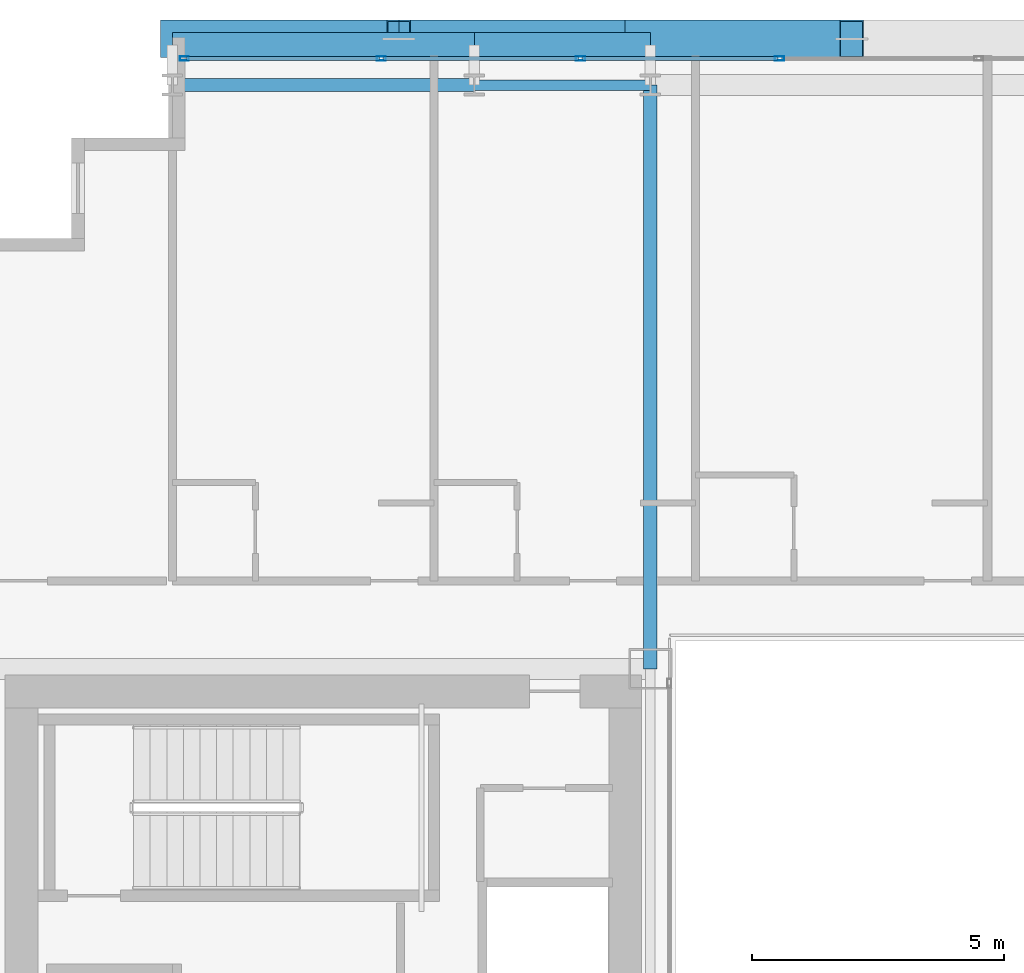
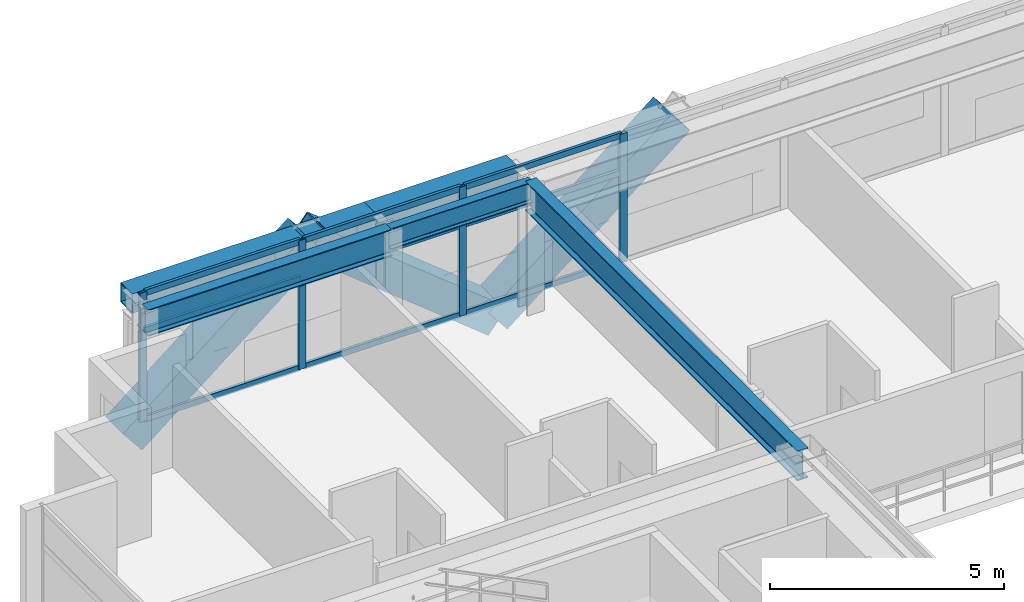
# One storey, part 21 of 39: 16 members, 5 beams, 1 element without a shape of its own.
"""IFC4 building model written with IfcOpenShell, lengths in metres."""

import ifcopenshell
import ifcopenshell.guid

model = None  # the IFC model being written
_history = None  # IfcOwnerHistory: only IFC2X3 demands one
_inside = {}  # id of a spatial element -> (the spatial element, [elements in it])
_under = {}  # id of a project, library or spatial element -> (it, [spatial elements below it])
_declared = {}  # id of a project -> (the project, [libraries it declares])
_typed = {}  # id of a type object -> (the type object, [elements of that type])
_made_of = {}  # id of a material, layer set ... -> (it, [elements and type objects made of it])


def new_model(schema):
    """Start an empty IFC model of exactly this schema.

    Asked for "IFC4X3", IfcOpenShell would pick the latest addendum, in which some entities
    have other attributes; the version numbers below select the first issue.
    IFC2X3 requires an IfcOwnerHistory on every rooted entity: one is made here for all.
    """
    global model, _history
    if schema == "IFC4X3":
        model = ifcopenshell.file(schema_version=(4, 3, 0, 0))
    else:
        model = ifcopenshell.file(schema=schema)
    _inside.clear()
    _under.clear()
    _declared.clear()
    _typed.clear()
    _made_of.clear()
    _history = None
    if model.schema == "IFC2X3":
        org = make("IfcOrganization", Name="unknown")
        user = make(
            "IfcPersonAndOrganization",
            ThePerson=make("IfcPerson", FamilyName="unknown"),
            TheOrganization=org,
        )
        app = make(
            "IfcApplication",
            ApplicationDeveloper=org,
            Version="unknown",
            ApplicationFullName="unknown",
            ApplicationIdentifier="unknown",
        )
        _history = make(
            "IfcOwnerHistory",
            OwningUser=user,
            OwningApplication=app,
            ChangeAction="ADDED",
            CreationDate=0,
        )
    return model


def make(cls, **values):
    """One entity of the class cls with the attributes given. An attribute that is None is left unset."""
    return model.create_entity(
        cls, **{name: value for name, value in values.items() if value is not None}
    )


def rooted(cls, **values):
    """An entity with a GlobalId (a new one), such as an element, a storey or a relation."""
    return make(cls, GlobalId=ifcopenshell.guid.new(), OwnerHistory=_history, **values)


def si_unit(unit_type, name, prefix=None):
    """IfcSIUnit, for example si_unit("LENGTHUNIT", "METRE", prefix="MILLI")."""
    return make("IfcSIUnit", UnitType=unit_type, Prefix=prefix, Name=name)


def assignment(units):
    """IfcUnitAssignment: the units of a project."""
    return None if units is None else make("IfcUnitAssignment", Units=units)


def point(xyz):
    """IfcCartesianPoint."""
    return None if xyz is None else make("IfcCartesianPoint", Coordinates=xyz)


def direction(xyz):
    """IfcDirection."""
    return None if xyz is None else make("IfcDirection", DirectionRatios=xyz)


def frame(location, z_axis=None, x_axis=None):
    """IfcAxis2Placement3D, a coordinate frame: its origin and axes. An axis left out is left unset."""
    return make(
        "IfcAxis2Placement3D",
        Location=point(location),
        Axis=direction(z_axis),
        RefDirection=direction(x_axis),
    )


def frame_2d(location, x_axis=None):
    """IfcAxis2Placement2D, a coordinate frame in the plane: its origin and x axis."""
    return make(
        "IfcAxis2Placement2D", Location=point(location), RefDirection=direction(x_axis)
    )


def origin():
    """The frame at (0, 0, 0) with its axes left unset."""
    return frame((0.0, 0.0, 0.0))


def origin_2d():
    """The frame at (0, 0) in the plane with its x axis left unset."""
    return frame_2d((0.0, 0.0))


def place(relative_to, where):
    """IfcLocalPlacement: puts the frame where relative to a parent placement (None: the world)."""
    return make(
        "IfcLocalPlacement", PlacementRelTo=relative_to, RelativePlacement=where
    )


def context(
    kind, dimensions, precision=None, world=None, true_north=None, identifier=None
):
    """IfcGeometricRepresentationContext, for example the 3D "Model" context."""
    return make(
        "IfcGeometricRepresentationContext",
        ContextIdentifier=identifier,
        ContextType=kind,
        CoordinateSpaceDimension=dimensions,
        Precision=precision,
        WorldCoordinateSystem=world,
        TrueNorth=true_north,
    )


def subcontext(parent, identifier, kind, view, scale=None):
    """IfcGeometricRepresentationSubContext, for example "Body" below "Model"."""
    return make(
        "IfcGeometricRepresentationSubContext",
        ContextIdentifier=identifier,
        ContextType=kind,
        ParentContext=parent,
        TargetScale=scale,
        TargetView=view,
    )


def project(units=None, contexts=None):
    """IfcProject with its units and contexts."""
    return rooted(
        "IfcProject",
        Name="project",
        RepresentationContexts=contexts,
        UnitsInContext=assignment(units),
    )


def spatial(cls, under=None, at=None, **own):
    """A site, building, storey or space (cls), placed at a placement, below another one or the project."""
    s = rooted(cls, ObjectPlacement=at, **own)
    if under is not None:
        _under.setdefault(under.id(), (under, []))[1].append(s)
    return s


def profile(cls, at=None, kind="AREA", **sizes):
    """A parametric profile (cls). Its sizes go by their IFC names, for example OverallWidth=200.0."""
    return make(cls, ProfileType=kind, Position=at, **sizes)


def hollow_rectangle(**sizes):
    """IfcRectangleHollowProfileDef."""
    return profile("IfcRectangleHollowProfileDef", **sizes)


def i_section(**sizes):
    """IfcIShapeProfileDef."""
    return profile("IfcIShapeProfileDef", **sizes)


def extrude(swept, where, along, depth):
    """IfcExtrudedAreaSolid: the profile swept, set in the frame where, extruded along a direction by depth."""
    return make(
        "IfcExtrudedAreaSolid",
        SweptArea=swept,
        Position=where,
        ExtrudedDirection=direction(along),
        Depth=depth,
    )


def shape(context_of_items, identifier, shape_type, items):
    """IfcShapeRepresentation: the items that make up one representation, for example the "Body"."""
    return make(
        "IfcShapeRepresentation",
        ContextOfItems=context_of_items,
        RepresentationIdentifier=identifier,
        RepresentationType=shape_type,
        Items=items,
    )


def source(mapping_origin, context_of_items, identifier, shape_type, items):
    """IfcRepresentationMap: a shape defined once, which mapped items show again and again."""
    return make(
        "IfcRepresentationMap",
        MappingOrigin=mapping_origin,
        MappedRepresentation=shape(context_of_items, identifier, shape_type, items),
    )


def transform(
    local_origin,
    x_axis=None,
    y_axis=None,
    z_axis=None,
    scale=None,
    scale2=None,
    scale3=None,
    uniform=True,
):
    """IfcCartesianTransformationOperator3D, or its non-uniform kind. x_axis, y_axis, z_axis: its Axis1, 2, 3."""
    if uniform:
        return make(
            "IfcCartesianTransformationOperator3D",
            Axis1=direction(x_axis),
            Axis2=direction(y_axis),
            LocalOrigin=point(local_origin),
            Scale=scale,
            Axis3=direction(z_axis),
        )
    return make(
        "IfcCartesianTransformationOperator3DnonUniform",
        Axis1=direction(x_axis),
        Axis2=direction(y_axis),
        LocalOrigin=point(local_origin),
        Scale=scale,
        Axis3=direction(z_axis),
        Scale2=scale2,
        Scale3=scale3,
    )


def mapped(mapping_source, mapping_target):
    """IfcMappedItem: shows the shape of a source again, moved by a transform."""
    return make(
        "IfcMappedItem", MappingSource=mapping_source, MappingTarget=mapping_target
    )


def material(Name=None, Category=None):
    """IfcMaterial."""
    return make("IfcMaterial", Name=Name, Category=Category)


def layer(
    of_material, thickness, ventilated=None, Name=None, Category=None, Priority=None
):
    """IfcMaterialLayer: one layer of a wall or slab, of a material (None: an air gap)."""
    return make(
        "IfcMaterialLayer",
        Material=of_material,
        LayerThickness=thickness,
        IsVentilated=ventilated,
        Name=Name,
        Category=Category,
        Priority=Priority,
    )


def layer_set(layers, Name=None):
    """IfcMaterialLayerSet."""
    return make("IfcMaterialLayerSet", MaterialLayers=layers, LayerSetName=Name)


def material_profile(
    of_material, cross_section, Name=None, Category=None, Priority=None
):
    """IfcMaterialProfile: a cross section and its material."""
    return make(
        "IfcMaterialProfile",
        Name=Name,
        Material=of_material,
        Profile=cross_section,
        Priority=Priority,
        Category=Category,
    )


def profile_set(profiles, Name=None, composite=None):
    """IfcMaterialProfileSet."""
    return make(
        "IfcMaterialProfileSet",
        Name=Name,
        MaterialProfiles=profiles,
        CompositeProfile=composite,
    )


def made_of(thing, what):
    """Note that an element or type object is made of a material, layer set ...; save() writes the relation."""
    if what is not None:
        _made_of.setdefault(what.id(), (what, []))[1].append(thing)
    return thing


def type_object(cls, material=None, **own):
    """A type object (cls), such as IfcWallType, which elements share."""
    return made_of(rooted(cls, **own), material)


def element(
    cls,
    number,
    at=None,
    inside=None,
    cuts=None,
    type_object=None,
    material=None,
    context=None,
    identifier="Body",
    shape_type=None,
    held_by="IfcProductDefinitionShape",
    body=None,
    shapes=None,
    **own,
):
    """One element of the class cls, such as IfcWall. Its Tag is "e" and its number.

    at: its placement. inside: the storey or other place that contains it. cuts: it is an
    opening in that element (IfcRelVoidsElement). A single representation is given by context,
    identifier, shape_type and body (its items); several are given by shapes. held_by: the class
    of the entity that holds the representations. save() writes the other relations.
    """
    e = rooted(cls, Tag="e%d" % number, ObjectPlacement=at, **own)
    if body is not None:
        shapes = [shape(context, identifier, shape_type, body)]
    if shapes is not None:
        e.Representation = make(held_by, Representations=shapes)
    if inside is not None:
        _inside.setdefault(inside.id(), (inside, []))[1].append(e)
    if cuts is not None:
        rooted(
            "IfcRelVoidsElement", RelatingBuildingElement=cuts, RelatedOpeningElement=e
        )
    if type_object is not None:
        _typed.setdefault(type_object.id(), (type_object, []))[1].append(e)
    return made_of(e, material)


def aggregate(whole, parts):
    """IfcRelAggregates: a whole, such as a stair, and the parts it consists of."""
    return rooted("IfcRelAggregates", RelatingObject=whole, RelatedObjects=parts)


def save(model, path):
    """Write the relations noted so far, then the file.

    IfcRelAggregates (storeys below a building ...), IfcRelContainedInSpatialStructure (elements
    in a storey), IfcRelDefinesByType, IfcRelAssociatesMaterial and IfcRelDeclares: one each for
    every whole, place, type object, material and project.
    """
    for whole, parts in _under.values():
        aggregate(whole, parts)
    for where, things in _inside.values():
        rooted(
            "IfcRelContainedInSpatialStructure",
            RelatedElements=things,
            RelatingStructure=where,
        )
    for kind, things in _typed.values():
        rooted("IfcRelDefinesByType", RelatedObjects=things, RelatingType=kind)
    for what, things in _made_of.values():
        rooted("IfcRelAssociatesMaterial", RelatedObjects=things, RelatingMaterial=what)
    for by, libraries in _declared.values():
        rooted("IfcRelDeclares", RelatingContext=by, RelatedDefinitions=libraries)
    model.write(path)


model = new_model("IFC4")

# Units and contexts
model_context = context("Model", 3, precision=1e-05, world=origin(), true_north=direction((0.0, 1.0)))
body_context = subcontext(model_context, "Body", "Model", "MODEL_VIEW")
ifc_project = project(units=[si_unit("LENGTHUNIT", "METRE"), si_unit("AREAUNIT", "SQUARE_METRE"), si_unit("VOLUMEUNIT", "CUBIC_METRE"), si_unit("PLANEANGLEUNIT", "RADIAN"), si_unit("MASSUNIT", "GRAM", prefix="KILO")], contexts=[model_context])

# Site, building, storey
site_placement = place(None, origin())
site = spatial("IfcSite", under=ifc_project, at=site_placement, CompositionType="ELEMENT")
building_placement = place(site_placement, origin())
building = spatial("IfcBuilding", under=site, at=building_placement, Name="Ocotamira Hotel", CompositionType="ELEMENT")
storey_placement = place(building_placement, frame((0.0, 0.0, 104.39990234375)))
storey = spatial("IfcBuildingStorey", under=building, at=storey_placement, Name="L25", CompositionType="ELEMENT", Elevation=104.39990234375)

# Beams
ifc_material_1 = material(Name="Steel ASTM A992 Grade 50", Category="steel")
ifc_material_profile_1 = material_profile(ifc_material_1, i_section(OverallWidth=0.256103515625, OverallDepth=0.693115234375, WebThickness=0.014404296875, FlangeThickness=0.023681640625, FilletRadius=0.01611328125, at=origin_2d()), Name="W27X114")
ifc_profile_set_1 = profile_set([ifc_material_profile_1], Name="Steel ASTM A992 Grade 50")
beam_type_1 = type_object("IfcBeamType", Name="BM-PRIM-W27X114", PredefinedType="BEAM", material=ifc_profile_set_1)
shared_shape_1 = source(origin(), body_context, "Body", "SweptSolid", [
    extrude(i_section(OverallWidth=0.256103515625, OverallDepth=0.693115234375, WebThickness=0.014404296875, FlangeThickness=0.023681640625, FilletRadius=0.01611328125, at=origin_2d()), origin(), (0.0, 0.0, 1.0), 6.0),
])
beam_1_placement = place(storey_placement, frame((14.0, 49.050048828125, 3.013671875), z_axis=(1.0, 0.0, 0.0), x_axis=(0.0, 1.0, 0.0)))
element("IfcBeam", 1, at=beam_1_placement, inside=storey, type_object=beam_type_1, Name="L25 Girder Y49.05 X14-20", PredefinedType="BEAM", context=body_context, shape_type="MappedRepresentation", body=[
    mapped(shared_shape_1, transform((0.0, 0.0, 0.0), scale=1.0)),
])
ifc_material_profile_2 = material_profile(ifc_material_1, i_section(OverallWidth=0.2099609375, OverallDepth=0.537109375, WebThickness=0.010986328125, FlangeThickness=0.017333984375, FilletRadius=0.012939453125, at=origin_2d()), Name="W21X68")
ifc_profile_set_2 = profile_set([ifc_material_profile_2], Name="Steel ASTM A992 Grade 50")
beam_type_2 = type_object("IfcBeamType", Name="BM-SEC-W21X68", PredefinedType="JOIST", material=ifc_profile_set_2)
shared_shape_2 = source(origin(), body_context, "Body", "SweptSolid", [
    extrude(i_section(OverallWidth=0.2099609375, OverallDepth=0.537109375, WebThickness=0.010986328125, FlangeThickness=0.017333984375, FilletRadius=0.012939453125, at=origin_2d()), origin(), (0.0, 0.0, 1.0), 3.5),
])
beam_2_placement = place(storey_placement, frame((20.0, 49.050048828125, 3.091552734375), z_axis=(1.0, 0.0, 0.0), x_axis=(0.0, 1.0, 0.0)))
element("IfcBeam", 2, at=beam_2_placement, inside=storey, type_object=beam_type_2, Name="L25 Girder Y49.05 X20-23.5", PredefinedType="JOIST", context=body_context, shape_type="MappedRepresentation", body=[
    mapped(shared_shape_2, transform((0.0, 0.0, 0.0), scale=1.0)),
])
ifc_material_profile_3 = material_profile(ifc_material_1, i_section(OverallWidth=0.26611328125, OverallDepth=0.779052734375, WebThickness=0.0166015625, FlangeThickness=0.030029296875, FilletRadius=0.01806640625, at=origin_2d()), Name="W30X148")
ifc_profile_set_3 = profile_set([ifc_material_profile_3], Name="Steel ASTM A992 Grade 50")
beam_type_3 = type_object("IfcBeamType", Name="BM-GIRD-W30X148", PredefinedType="BEAM", material=ifc_profile_set_3)
shared_shape_3 = source(origin(), body_context, "Body", "SweptSolid", [
    extrude(i_section(OverallWidth=0.26611328125, OverallDepth=0.779052734375, WebThickness=0.0166015625, FlangeThickness=0.030029296875, FilletRadius=0.01806640625, at=origin_2d()), origin(), (0.0, 0.0, 1.0), 11.60009765625),
])
beam_3_placement = place(storey_placement, frame((23.5, 37.449951171875, 2.970703125), z_axis=(0.0, 1.0, 0.0), x_axis=(-1.0, 0.0, 0.0)))
element("IfcBeam", 3, at=beam_3_placement, inside=storey, type_object=beam_type_3, Name="L25 Beam X23.5 Y37.45-49.05", PredefinedType="BEAM", context=body_context, shape_type="MappedRepresentation", body=[
    mapped(shared_shape_3, transform((0.0, 0.0, 0.0), scale=1.0)),
])
ifc_material_2 = material(Name="Steel ASTM A500 Grade C", Category="steel")
ifc_material_profile_4 = material_profile(ifc_material_2, hollow_rectangle(XDim=0.5, YDim=0.5, WallThickness=0.02001953125, at=origin_2d()), Name="HSS500X500X20")
ifc_profile_set_4 = profile_set([ifc_material_profile_4], Name="Steel ASTM A500 Grade C")
beam_type_4 = type_object("IfcBeamType", Name="BM-SPAN-HSS500", PredefinedType="USERDEFINED", material=ifc_profile_set_4)
shared_shape_4 = source(origin(), body_context, "Body", "SweptSolid", [
    extrude(hollow_rectangle(XDim=0.5, YDim=0.5, WallThickness=0.02001953125, at=origin_2d()), origin(), (0.0, 0.0, 1.0), 6.0),
])
beam_4_placement = place(storey_placement, frame((14.0, 49.85009765625, 3.110107421875), z_axis=(1.0, 0.0, 0.0), x_axis=(0.0, 1.0, 0.0)))
element("IfcBeam", 4, at=beam_4_placement, inside=storey, type_object=beam_type_4, Name="L25 Edge Spandrel N X14-20", ObjectType="SPANDREL", PredefinedType="USERDEFINED", context=body_context, shape_type="MappedRepresentation", body=[
    mapped(shared_shape_4, transform((0.0, 0.0, 0.0), scale=1.0)),
])
shared_shape_5 = source(origin(), body_context, "Body", "SweptSolid", [
    extrude(hollow_rectangle(XDim=0.5, YDim=0.5, WallThickness=0.02001953125, at=origin_2d()), origin(), (0.0, 0.0, 1.0), 3.5),
])
beam_5_placement = place(storey_placement, frame((20.0, 49.85009765625, 3.110107421875), z_axis=(1.0, 0.0, 0.0), x_axis=(0.0, 1.0, 0.0)))
element("IfcBeam", 5, at=beam_5_placement, inside=storey, type_object=beam_type_4, Name="L25 Edge Spandrel N X20-23.5", ObjectType="SPANDREL", PredefinedType="USERDEFINED", context=body_context, shape_type="MappedRepresentation", body=[
    mapped(shared_shape_5, transform((0.0, 0.0, 0.0), scale=1.0)),
])

# Members
ifc_material_3 = material(Name="Pale-metal coated steel ASTM A913 Grade 65", Category="steel")
ifc_material_profile_5 = material_profile(ifc_material_3, hollow_rectangle(XDim=0.75, YDim=0.75, WallThickness=0.028076171875, at=origin_2d()), Name="BOX750X750X28")
ifc_profile_set_5 = profile_set([ifc_material_profile_5], Name="Pale-metal coated steel ASTM A913 Grade 65")
member_type_1 = type_object("IfcMemberType", Name="MEM-EXO-BOX750", PredefinedType="BRACE", material=ifc_profile_set_5)
shared_shape_6 = source(origin(), body_context, "Body", "SweptSolid", [
    extrude(hollow_rectangle(XDim=0.75, YDim=0.75, WallThickness=0.028076171875, at=origin_2d()), origin(), (0.0, 0.0, 1.0), 5.762939453125),
])
for number, where, z_axis, x_axis, name in (
    (6, (14.0, 49.969970703125, -0.489990234375), (0.780860543151, 0.0, 0.624705380279), (0.0, 1.0, 0.0), "L25 Exoskeleton Diagrid N0.1"),
    (7, (23.0, 49.969970703125, -0.489990234375), (-0.780860543151, 0.0, 0.624705380279), (0.0, -1.0, 0.0), "L25 Exoskeleton Diagrid N0.2"),
    (8, (23.0, 49.969970703125, -0.489990234375), (0.780860543151, 0.0, 0.624705380279), (0.0, 1.0, 0.0), "L25 Exoskeleton Diagrid N1.1"),
):
    element("IfcMember", number, at=place(storey_placement, frame(where, z_axis=z_axis, x_axis=x_axis)), inside=storey, type_object=member_type_1, Name=name, PredefinedType="BRACE", context=body_context, shape_type="MappedRepresentation", body=[
        mapped(shared_shape_6, transform((0.0, 0.0, 0.0), scale=1.0)),
    ])

# Curtain wall, members
ifc_material_4 = material(Name="Anodised pale-metal aluminium and solar glass", Category="aluminium")
ifc_layer = layer(ifc_material_4, 0.179931640625)
ifc_layer_set = layer_set([ifc_layer], Name="Anodised pale-metal aluminium and solar glass")
curtain_wall_type = type_object("IfcCurtainWallType", Name="CW-SYS3-Z2", PredefinedType="NOTDEFINED", material=ifc_layer_set)
curtain_wall_placement = place(storey_placement, origin())
curtain_wall = element("IfcCurtainWall", 9, at=curtain_wall_placement, inside=storey, type_object=curtain_wall_type, Name="L25 Curtain Wall CW-3 CW-L25-N", PredefinedType="NOTDEFINED")
ifc_material_5 = material(Name="Anodised pale-metal aluminium 6063-T6", Category="aluminium")
ifc_material_profile_6 = material_profile(ifc_material_5, hollow_rectangle(XDim=0.074951171875, YDim=0.14990234375, WallThickness=0.006103515625, at=origin_2d()), Name="HSS150X75X6")
ifc_profile_set_6 = profile_set([ifc_material_profile_6], Name="Anodised pale-metal aluminium 6063-T6")
member_type_2 = type_object("IfcMemberType", Name="CWT-150X75", PredefinedType="USERDEFINED", material=ifc_profile_set_6)
shared_shape_7 = source(origin(), body_context, "Body", "SweptSolid", [
    extrude(hollow_rectangle(XDim=0.074951171875, YDim=0.14990234375, WallThickness=0.006103515625, at=origin_2d()), origin(), (0.0, 0.0, 1.0), 3.83544921875),
])
member_1_placement = place(storey_placement, frame((14.280029296875, 49.580078125, 0.03759765625), z_axis=(1.0, 0.0, 0.0), x_axis=(0.0, 1.0, 0.0)))
member_1 = element("IfcMember", 10, at=member_1_placement, type_object=member_type_2, Name="CW-3 transom 1.1", ObjectType="TRANSOM", PredefinedType="USERDEFINED", context=body_context, shape_type="MappedRepresentation", body=[
    mapped(shared_shape_7, transform((0.0, 0.0, 0.0), scale=1.0)),
])
member_2_placement = place(storey_placement, frame((14.280029296875, 49.580078125, 2.35009765625), z_axis=(1.0, 0.0, 0.0), x_axis=(0.0, 1.0, 0.0)))
member_2 = element("IfcMember", 11, at=member_2_placement, type_object=member_type_2, Name="CW-3 transom 1.2", ObjectType="TRANSOM", PredefinedType="USERDEFINED", context=body_context, shape_type="MappedRepresentation", body=[
    mapped(shared_shape_7, transform((0.0, 0.0, 0.0), scale=1.0)),
])
member_3_placement = place(storey_placement, frame((14.280029296875, 49.580078125, 3.322509765625), z_axis=(1.0, 0.0, 0.0), x_axis=(0.0, 1.0, 0.0)))
member_3 = element("IfcMember", 12, at=member_3_placement, type_object=member_type_2, Name="CW-3 transom 1.3", ObjectType="TRANSOM", PredefinedType="USERDEFINED", context=body_context, shape_type="MappedRepresentation", body=[
    mapped(shared_shape_7, transform((0.0, 0.0, 0.0), scale=1.0)),
])
shared_shape_8 = source(origin(), body_context, "Body", "SweptSolid", [
    extrude(hollow_rectangle(XDim=0.074951171875, YDim=0.14990234375, WallThickness=0.006103515625, at=origin_2d()), origin(), (0.0, 0.0, 1.0), 3.87548828125),
])
member_4_placement = place(storey_placement, frame((18.195556640625, 49.580078125, 0.03759765625), z_axis=(1.0, 0.0, 0.0), x_axis=(0.0, 1.0, 0.0)))
member_4 = element("IfcMember", 13, at=member_4_placement, type_object=member_type_2, Name="CW-3 transom 2.1", ObjectType="TRANSOM", PredefinedType="USERDEFINED", context=body_context, shape_type="MappedRepresentation", body=[
    mapped(shared_shape_8, transform((0.0, 0.0, 0.0), scale=1.0)),
])
member_5_placement = place(storey_placement, frame((18.195556640625, 49.580078125, 2.35009765625), z_axis=(1.0, 0.0, 0.0), x_axis=(0.0, 1.0, 0.0)))
member_5 = element("IfcMember", 14, at=member_5_placement, type_object=member_type_2, Name="CW-3 transom 2.2", ObjectType="TRANSOM", PredefinedType="USERDEFINED", context=body_context, shape_type="MappedRepresentation", body=[
    mapped(shared_shape_8, transform((0.0, 0.0, 0.0), scale=1.0)),
])
member_6_placement = place(storey_placement, frame((18.195556640625, 49.580078125, 3.322509765625), z_axis=(1.0, 0.0, 0.0), x_axis=(0.0, 1.0, 0.0)))
member_6 = element("IfcMember", 15, at=member_6_placement, type_object=member_type_2, Name="CW-3 transom 2.3", ObjectType="TRANSOM", PredefinedType="USERDEFINED", context=body_context, shape_type="MappedRepresentation", body=[
    mapped(shared_shape_8, transform((0.0, 0.0, 0.0), scale=1.0)),
])
member_7_placement = place(storey_placement, frame((22.151123046875, 49.580078125, 0.03759765625), z_axis=(1.0, 0.0, 0.0), x_axis=(0.0, 1.0, 0.0)))
member_7 = element("IfcMember", 16, at=member_7_placement, type_object=member_type_2, Name="CW-3 transom 3.1", ObjectType="TRANSOM", PredefinedType="USERDEFINED", context=body_context, shape_type="MappedRepresentation", body=[
    mapped(shared_shape_8, transform((0.0, 0.0, 0.0), scale=1.0)),
])
member_8_placement = place(storey_placement, frame((22.151123046875, 49.580078125, 2.35009765625), z_axis=(1.0, 0.0, 0.0), x_axis=(0.0, 1.0, 0.0)))
member_8 = element("IfcMember", 17, at=member_8_placement, type_object=member_type_2, Name="CW-3 transom 3.2", ObjectType="TRANSOM", PredefinedType="USERDEFINED", context=body_context, shape_type="MappedRepresentation", body=[
    mapped(shared_shape_8, transform((0.0, 0.0, 0.0), scale=1.0)),
])
member_9_placement = place(storey_placement, frame((22.151123046875, 49.580078125, 3.322509765625), z_axis=(1.0, 0.0, 0.0), x_axis=(0.0, 1.0, 0.0)))
member_9 = element("IfcMember", 18, at=member_9_placement, type_object=member_type_2, Name="CW-3 transom 3.3", ObjectType="TRANSOM", PredefinedType="USERDEFINED", context=body_context, shape_type="MappedRepresentation", body=[
    mapped(shared_shape_8, transform((0.0, 0.0, 0.0), scale=1.0)),
])
ifc_material_profile_7 = material_profile(ifc_material_5, hollow_rectangle(XDim=0.080078125, YDim=0.179931640625, WallThickness=0.006103515625, at=origin_2d()), Name="HSS180X80X6")
ifc_profile_set_7 = profile_set([ifc_material_profile_7], Name="Anodised pale-metal aluminium 6063-T6")
member_type_3 = type_object("IfcMemberType", Name="CWM-180X75", PredefinedType="MULLION", material=ifc_profile_set_7)
shared_shape_9 = source(origin(), body_context, "Body", "SweptSolid", [
    extrude(hollow_rectangle(XDim=0.080078125, YDim=0.179931640625, WallThickness=0.006103515625, at=origin_2d()), origin(), (0.0, 0.0, 1.0), 3.360107421875),
])
member_10_placement = place(storey_placement, frame((14.239990234375, 49.580078125, 0.0), z_axis=(0.0, 0.0, 1.0), x_axis=(0.0, 1.0, 0.0)))
member_10 = element("IfcMember", 19, at=member_10_placement, type_object=member_type_3, Name="CW-3 mullion 1", PredefinedType="MULLION", context=body_context, shape_type="MappedRepresentation", body=[
    mapped(shared_shape_9, transform((0.0, 0.0, 0.0), scale=1.0)),
])
member_11_placement = place(storey_placement, frame((18.155517578125, 49.580078125, 0.0), z_axis=(0.0, 0.0, 1.0), x_axis=(0.0, 1.0, 0.0)))
member_11 = element("IfcMember", 20, at=member_11_placement, type_object=member_type_3, Name="CW-3 mullion 2", PredefinedType="MULLION", context=body_context, shape_type="MappedRepresentation", body=[
    mapped(shared_shape_9, transform((0.0, 0.0, 0.0), scale=1.0)),
])
member_12_placement = place(storey_placement, frame((22.111083984375, 49.580078125, 0.0), z_axis=(0.0, 0.0, 1.0), x_axis=(0.0, 1.0, 0.0)))
member_12 = element("IfcMember", 21, at=member_12_placement, type_object=member_type_3, Name="CW-3 mullion 3", PredefinedType="MULLION", context=body_context, shape_type="MappedRepresentation", body=[
    mapped(shared_shape_9, transform((0.0, 0.0, 0.0), scale=1.0)),
])
member_13_placement = place(storey_placement, frame((26.066650390625, 49.580078125, 0.0), z_axis=(0.0, 0.0, 1.0), x_axis=(0.0, 1.0, 0.0)))
member_13 = element("IfcMember", 22, at=member_13_placement, type_object=member_type_3, Name="CW-3 mullion 4", PredefinedType="MULLION", context=body_context, shape_type="MappedRepresentation", body=[
    mapped(shared_shape_9, transform((0.0, 0.0, 0.0), scale=1.0)),
])
aggregate(curtain_wall, [member_10, member_11, member_12, member_13, member_1, member_2, member_3, member_4, member_5, member_6, member_7, member_8, member_9])

save(model, "model.ifc")
